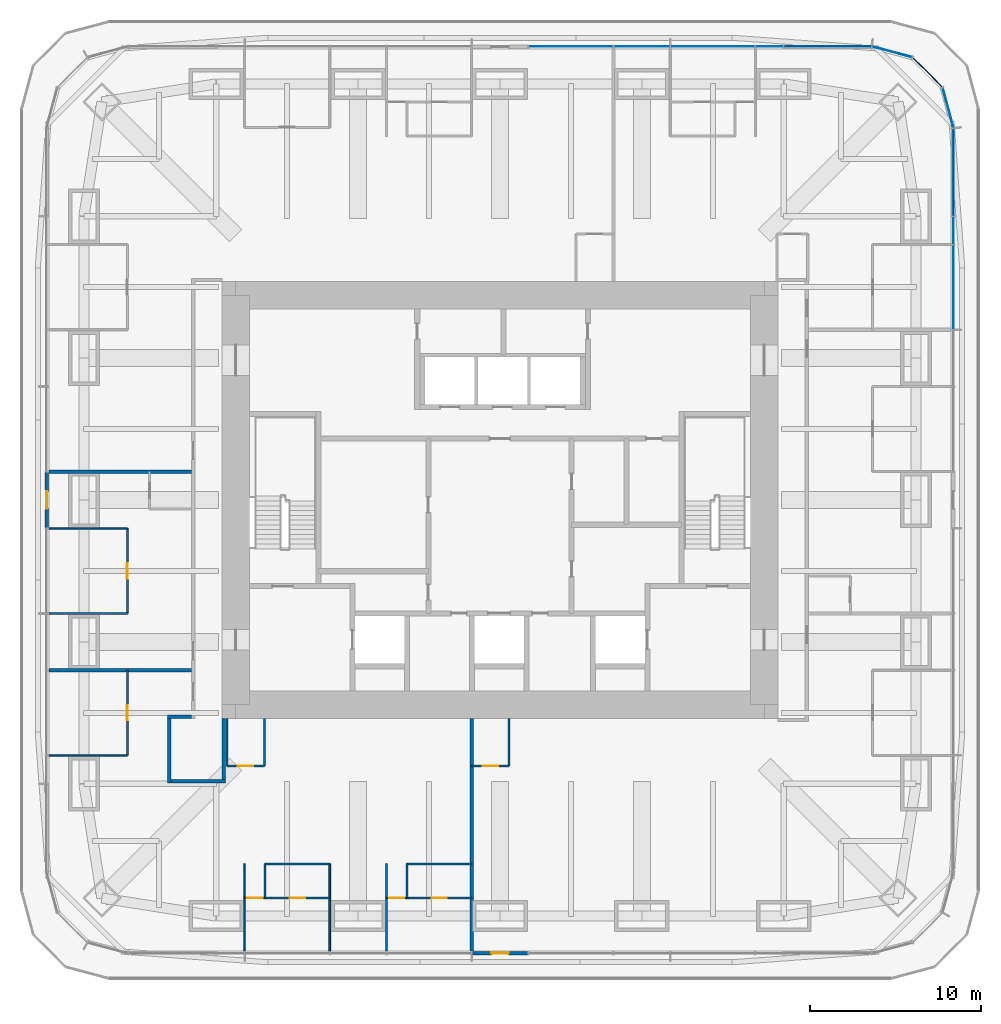
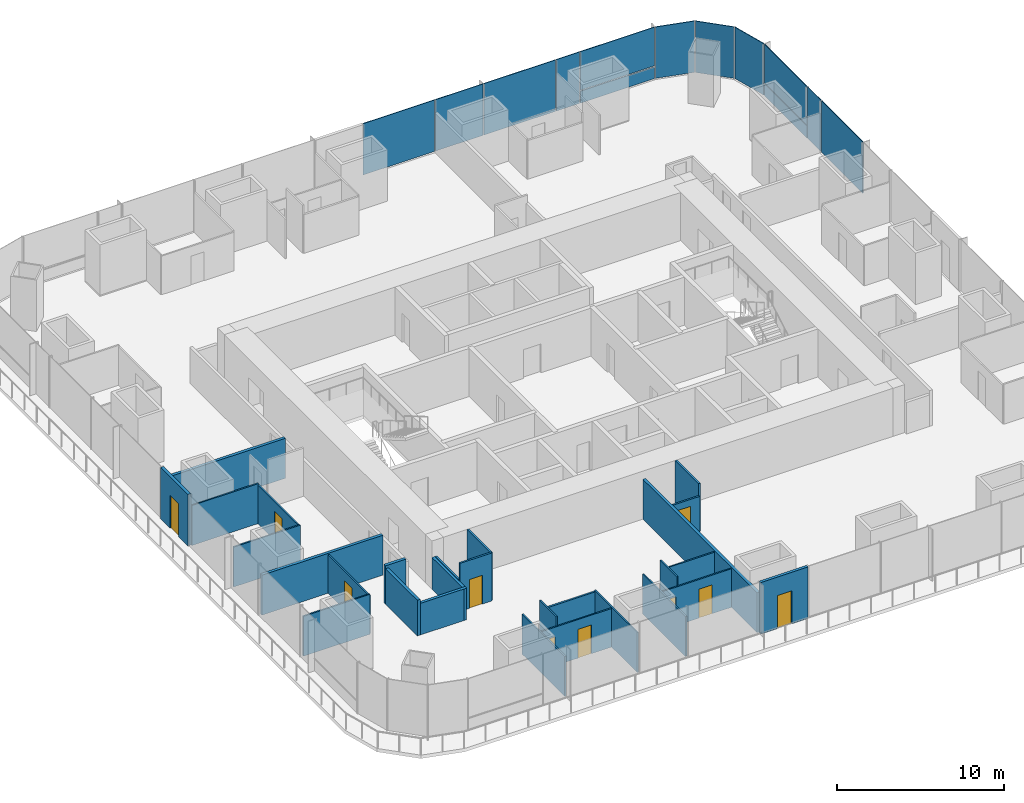
# One storey, part 8 of 15: 28 walls, 13 plates, 10 doors, 10 openings, 3 elements without a shape of their own.
"""IFC4 building model written with IfcOpenShell, lengths in metres."""

from ifc_helpers import new_model, si_unit, direction, frame, frame_2d, origin, origin_2d, place, context, subcontext, project, spatial, rectangle, extrude, material, layer, layer_set, type_object, element, fill, aggregate, save


model = new_model("IFC4")

# Units and contexts
model_context = context("Model", 3, precision=1e-05, world=origin(), true_north=direction((0.0, 1.0)))
body_context = subcontext(model_context, "Body", "Model", "MODEL_VIEW")
ifc_project = project(units=[si_unit("LENGTHUNIT", "METRE"), si_unit("AREAUNIT", "SQUARE_METRE"), si_unit("VOLUMEUNIT", "CUBIC_METRE"), si_unit("PLANEANGLEUNIT", "RADIAN"), si_unit("MASSUNIT", "GRAM", prefix="KILO")], contexts=[model_context])

# Site, building, storey
site_placement = place(None, origin())
site = spatial("IfcSite", under=ifc_project, at=site_placement, CompositionType="ELEMENT")
building_placement = place(site_placement, origin())
building = spatial("IfcBuilding", under=site, at=building_placement, Name="Khuree Lantern Residences", CompositionType="ELEMENT")
storey_placement = place(building_placement, frame((0.0, 0.0, 199.5)))
storey = spatial("IfcBuildingStorey", under=building, at=storey_placement, Name="L49", CompositionType="ELEMENT", Elevation=199.5)

# Curtain wall, plates
ifc_material_1 = material(Name="Bronze anodised aluminium", Category="aluminium")
curtain_wall_type_1 = type_object("IfcCurtainWallType", Name="CW-T2 TOWER CORNER CURTAIN WALL", PredefinedType="USERDEFINED", material=ifc_material_1)
curtain_wall_1_placement = place(storey_placement, origin())
curtain_wall_1 = element("IfcCurtainWall", 1, at=curtain_wall_1_placement, inside=storey, type_object=curtain_wall_type_1, Name="L49 NORTH-EAST CORNER CURTAIN WALL", ObjectType="Faceted corner curtain wall", PredefinedType="USERDEFINED")
ifc_material_2 = material(Name="Bronze tinted triple glazing", Category="glass")
ifc_layer_1 = layer(ifc_material_2, 0.048095703125)
ifc_layer_set_1 = layer_set([ifc_layer_1], Name="FACET PANEL P4")
plate_type_1 = type_object("IfcPlateType", Name="FACET PANEL P4", PredefinedType="CURTAIN_PANEL", material=ifc_layer_set_1)
plate_1_placement = place(storey_placement, frame((26.279052734375, 22.998046875, 0.0), z_axis=(0.0, 0.0, 1.0), x_axis=(-0.258819021888, 0.965925832509, 0.0)))
plate_1 = element("IfcPlate", 2, at=plate_1_placement, type_object=plate_type_1, Name="L49 NORTH-EAST CORNER PANEL 15.1", PredefinedType="CURTAIN_PANEL", context=body_context, shape_type="SweptSolid", body=[
    extrude(rectangle(XDim=2.40869140625, YDim=0.048095703125, at=origin_2d()), origin(), (0.0, 0.0, 1.0), 3.75),
])
plate_2_placement = place(storey_placement, frame((25.078369140625, 25.078369140625, 0.0), z_axis=(0.0, 0.0, 1.0), x_axis=(-0.707106781187, 0.707106781187, 0.0)))
plate_2 = element("IfcPlate", 3, at=plate_2_placement, type_object=plate_type_1, Name="L49 NORTH-EAST CORNER PANEL 16.1", PredefinedType="CURTAIN_PANEL", context=body_context, shape_type="SweptSolid", body=[
    extrude(rectangle(XDim=2.404541015625, YDim=0.048095703125, at=origin_2d()), origin(), (0.0, 0.0, 1.0), 3.75),
])
plate_3_placement = place(storey_placement, frame((22.998046875, 26.279052734375, 0.0), z_axis=(0.0, 0.0, 1.0), x_axis=(-0.965925832509, 0.258819021888, 0.0)))
plate_3 = element("IfcPlate", 4, at=plate_3_placement, type_object=plate_type_1, Name="L49 NORTH-EAST CORNER PANEL 17.1", PredefinedType="CURTAIN_PANEL", context=body_context, shape_type="SweptSolid", body=[
    extrude(rectangle(XDim=2.40869140625, YDim=0.048095703125, at=origin_2d()), origin(), (0.0, 0.0, 1.0), 3.75),
])
aggregate(curtain_wall_1, [plate_1, plate_2, plate_3])

# Curtain wall, plate
curtain_wall_type_2 = type_object("IfcCurtainWallType", Name="CW-T1 TOWER FACE CURTAIN WALL", PredefinedType="USERDEFINED", material=ifc_material_1)
curtain_wall_2_placement = place(storey_placement, origin())
curtain_wall_2 = element("IfcCurtainWall", 5, at=curtain_wall_2_placement, inside=storey, type_object=curtain_wall_type_2, Name="L49 EAST FACE CURTAIN WALL", ObjectType="Stick-built curtain wall", PredefinedType="USERDEFINED")
ifc_material_3 = material(Name="Bronze tinted triple glazing with a ceramic-fritted spandrel band", Category="glass")
ifc_layer_2 = layer(ifc_material_3, 0.048095703125)
ifc_layer_set_2 = layer_set([ifc_layer_2], Name="FIXED LIGHT PANEL P11")
plate_type_2 = type_object("IfcPlateType", Name="FIXED LIGHT PANEL P11", PredefinedType="CURTAIN_PANEL", material=ifc_layer_set_2)
plate_4_placement = place(storey_placement, frame((26.60009765625, 12.47998046875, 0.0), z_axis=(0.0, 0.0, 1.0), x_axis=(0.0, 1.0, 0.0)))
plate_4 = element("IfcPlate", 6, at=plate_4_placement, type_object=plate_type_2, Name="L49 EAST FACE PANEL 12.1", PredefinedType="CURTAIN_PANEL", context=body_context, shape_type="SweptSolid", body=[
    extrude(rectangle(XDim=4.927001953125, YDim=0.048095703125, at=origin_2d()), origin(), (0.0, 0.0, 1.0), 3.75),
])

# Curtain wall, plates
curtain_wall_3_placement = place(storey_placement, origin())
curtain_wall_3 = element("IfcCurtainWall", 7, at=curtain_wall_3_placement, inside=storey, type_object=curtain_wall_type_2, Name="L49 NORTH FACE CURTAIN WALL", ObjectType="Stick-built curtain wall", PredefinedType="USERDEFINED")
plate_5_placement = place(storey_placement, frame((12.47998046875, 26.60009765625, 0.0), z_axis=(0.0, 0.0, 1.0), x_axis=(-1.0, 0.0, 0.0)))
plate_5 = element("IfcPlate", 8, at=plate_5_placement, type_object=plate_type_2, Name="L49 NORTH FACE PANEL 20.1", PredefinedType="CURTAIN_PANEL", context=body_context, shape_type="SweptSolid", body=[
    extrude(rectangle(XDim=4.927001953125, YDim=0.048095703125, at=origin_2d()), origin(), (0.0, 0.0, 1.0), 3.75),
])
plate_6_placement = place(storey_placement, frame((4.159912109375, 26.60009765625, 0.0), z_axis=(0.0, 0.0, 1.0), x_axis=(-1.0, 0.0, 0.0)))
plate_6 = element("IfcPlate", 9, at=plate_6_placement, type_object=plate_type_2, Name="L49 NORTH FACE PANEL 22.1", PredefinedType="CURTAIN_PANEL", context=body_context, shape_type="SweptSolid", body=[
    extrude(rectangle(XDim=4.927001953125, YDim=0.048095703125, at=origin_2d()), origin(), (0.0, 0.0, 1.0), 3.75),
])
ifc_material_4 = material(Name="Bronze tinted triple glazing, two aluminium-framed sashes in one frame", Category="aluminium")
ifc_layer_3 = layer(ifc_material_4, 0.048095703125)
ifc_layer_set_3 = layer_set([ifc_layer_3], Name="SASH PAIR PANEL P12")
plate_type_3 = type_object("IfcPlateType", Name="SASH PAIR PANEL P12", PredefinedType="CURTAIN_PANEL", material=ifc_layer_set_3)
plate_7_placement = place(storey_placement, frame((8.320068359375, 26.60009765625, 0.0), z_axis=(0.0, 0.0, 1.0), x_axis=(-1.0, 0.0, 0.0)))
plate_7 = element("IfcPlate", 10, at=plate_7_placement, type_object=plate_type_3, Name="L49 NORTH FACE PANEL 21.1", PredefinedType="CURTAIN_PANEL", context=body_context, shape_type="SweptSolid", body=[
    extrude(rectangle(XDim=3.262939453125, YDim=0.048095703125, at=origin_2d()), origin(), (0.0, 0.0, 1.0), 3.75),
])

# Plate
ifc_material_5 = material(Name="Bronze tinted triple glazing, aluminium-framed sash", Category="aluminium")
ifc_layer_4 = layer(ifc_material_5, 0.048095703125)
ifc_layer_set_4 = layer_set([ifc_layer_4], Name="SASH PANEL P3")
plate_type_4 = type_object("IfcPlateType", Name="SASH PANEL P3", PredefinedType="CURTAIN_PANEL", material=ifc_layer_set_4)
plate_8_placement = place(storey_placement, frame((26.60009765625, 15.80810546875, 0.0), z_axis=(0.0, 0.0, 1.0), x_axis=(0.0, 1.0, 0.0)))
plate_8 = element("IfcPlate", 11, at=plate_8_placement, type_object=plate_type_4, Name="L49 EAST FACE PANEL 13.1", PredefinedType="CURTAIN_PANEL", context=body_context, shape_type="SweptSolid", body=[
    extrude(rectangle(XDim=1.59912109375, YDim=0.048095703125, at=origin_2d()), origin(), (0.0, 0.0, 1.0), 3.75),
])

plate_9_placement = place(storey_placement, frame((15.80810546875, 26.60009765625, 0.0), z_axis=(0.0, 0.0, 1.0), x_axis=(-1.0, 0.0, 0.0)))
plate_9 = element("IfcPlate", 12, at=plate_9_placement, type_object=plate_type_4, Name="L49 NORTH FACE PANEL 19.1", PredefinedType="CURTAIN_PANEL", context=body_context, shape_type="SweptSolid", body=[
    extrude(rectangle(XDim=1.59912109375, YDim=0.048095703125, at=origin_2d()), origin(), (0.0, 0.0, 1.0), 3.75),
])

ifc_material_6 = material(Name="Bronze anodised aluminium insulated spandrel", Category="aluminium")
ifc_layer_5 = layer(ifc_material_6, 0.06005859375)
ifc_layer_set_5 = layer_set([ifc_layer_5], Name="SPANDREL PANEL P2")
plate_type_5 = type_object("IfcPlateType", Name="SPANDREL PANEL P2", PredefinedType="CURTAIN_PANEL", material=ifc_layer_set_5)
plate_10_placement = place(storey_placement, frame((26.60009765625, 19.2177734375, 0.0), z_axis=(0.0, 0.0, 1.0), x_axis=(0.0, 1.0, 0.0)))
plate_10 = element("IfcPlate", 13, at=plate_10_placement, type_object=plate_type_5, Name="L49 EAST FACE PANEL 14.1", PredefinedType="CURTAIN_PANEL", context=body_context, shape_type="SweptSolid", body=[
    extrude(rectangle(XDim=5.0908203125, YDim=0.06005859375, at=origin_2d()), origin(), (0.0, 0.0, 1.0), 0.867431640625),
])

plate_11_placement = place(storey_placement, frame((19.2177734375, 26.60009765625, 0.0), z_axis=(0.0, 0.0, 1.0), x_axis=(-1.0, 0.0, 0.0)))
plate_11 = element("IfcPlate", 14, at=plate_11_placement, type_object=plate_type_5, Name="L49 NORTH FACE PANEL 18.1", PredefinedType="CURTAIN_PANEL", context=body_context, shape_type="SweptSolid", body=[
    extrude(rectangle(XDim=5.0908203125, YDim=0.06005859375, at=origin_2d()), origin(), (0.0, 0.0, 1.0), 0.867431640625),
])

ifc_layer_6 = layer(ifc_material_2, 0.048095703125)
ifc_layer_set_6 = layer_set([ifc_layer_6], Name="VISION PANEL P1")
plate_type_6 = type_object("IfcPlateType", Name="VISION PANEL P1", PredefinedType="CURTAIN_PANEL", material=ifc_layer_set_6)
plate_12_placement = place(storey_placement, frame((26.60009765625, 19.21826171875, 0.9326171875), z_axis=(0.0, 0.0, 1.0), x_axis=(0.0, 1.0, 0.0)))
plate_12 = element("IfcPlate", 15, at=plate_12_placement, type_object=plate_type_6, Name="L49 EAST FACE PANEL 14.2", PredefinedType="CURTAIN_PANEL", context=body_context, shape_type="SweptSolid", body=[
    extrude(rectangle(XDim=5.091552734375, YDim=0.048095703125, at=origin_2d()), origin(), (0.0, 0.0, 1.0), 2.8173828125),
])

aggregate(curtain_wall_2, [plate_4, plate_8, plate_10, plate_12])

plate_13_placement = place(storey_placement, frame((19.21826171875, 26.60009765625, 0.9326171875), z_axis=(0.0, 0.0, 1.0), x_axis=(-1.0, 0.0, 0.0)))
plate_13 = element("IfcPlate", 16, at=plate_13_placement, type_object=plate_type_6, Name="L49 NORTH FACE PANEL 18.2", PredefinedType="CURTAIN_PANEL", context=body_context, shape_type="SweptSolid", body=[
    extrude(rectangle(XDim=5.091552734375, YDim=0.048095703125, at=origin_2d()), origin(), (0.0, 0.0, 1.0), 2.8173828125),
])

aggregate(curtain_wall_3, [plate_11, plate_13, plate_9, plate_5, plate_7, plate_6])

# Wall
ifc_material_7 = material(Name="Moisture-resistant gypsum board on steel studs", Category="steel")
ifc_layer_7 = layer(ifc_material_7, 0.125)
ifc_layer_set_7 = layer_set([ifc_layer_7], Name="BATHROOM WALL BTW125")
wall_type_1 = type_object("IfcWallType", Name="BATHROOM WALL BTW125", PredefinedType="PARTITIONING", material=ifc_layer_set_7)
wall_1_placement = place(storey_placement, frame((-13.77587890625, -21.344970703125, 0.0), z_axis=(0.0, 0.0, 1.0), x_axis=(1.0, 0.0, 0.0)))
element("IfcWall", 17, at=wall_1_placement, inside=storey, type_object=wall_type_1, Name="L49 BATHROOM WALL 05", PredefinedType="PARTITIONING", context=body_context, shape_type="SweptSolid", body=[
    extrude(rectangle(XDim=3.7919921875, YDim=0.125, at=frame_2d((1.89599609375, 0.0))), origin(), (0.0, 0.0, 1.0), 2.81005859375),
])

# Wall, opening, door
wall_2_placement = place(storey_placement, frame((-16.0166015625, -15.60009765625, 0.0), z_axis=(0.0, 0.0, 1.0), x_axis=(1.0, 0.0, 0.0)))
wall_2 = element("IfcWall", 18, at=wall_2_placement, inside=storey, type_object=wall_type_1, Name="L49 BATHROOM WALL 05", PredefinedType="PARTITIONING", context=body_context, shape_type="SweptSolid", body=[
    extrude(rectangle(XDim=2.2001953125, YDim=0.125, at=frame_2d((1.10009765625, 0.0))), origin(), (0.0, 0.0, 1.0), 3.5),
])
opening_1_placement = place(wall_2_placement, frame((0.64990234375, 0.0, 0.0)))
opening_1 = element("IfcOpeningElement", 19, at=opening_1_placement, cuts=wall_2, Name="Opening 49-045", PredefinedType="OPENING", context=body_context, shape_type="SweptSolid", body=[
    extrude(rectangle(XDim=0.89990234375, YDim=2.10009765625, at=frame_2d((0.449951171875, 1.050048828125))), frame((0.0, 0.072509765625, 0.0), z_axis=(0.0, -1.0, 0.0), x_axis=(1.0, 0.0, 0.0)), (0.0, 0.0, 1.0), 0.14501953125),
])
ifc_material_8 = material(Name="Timber door leaf in hardwood frame", Category="wood")
door_type_1 = type_object("IfcDoorType", Name="BATHROOM DOOR 900X2100", OperationType="SINGLE_SWING_LEFT", PredefinedType="DOOR", material=ifc_material_8)
door_1_placement = place(opening_1_placement, origin())
door_1 = element("IfcDoor", 20, at=door_1_placement, inside=storey, type_object=door_type_1, Name="Bathroom door 49-045", OperationType="SINGLE_SWING_LEFT", OverallHeight=2.10009765625, OverallWidth=0.89990234375, PredefinedType="DOOR", context=body_context, shape_type="SweptSolid", body=[
    extrude(rectangle(XDim=0.89990234375, YDim=2.10009765625, at=frame_2d((0.449951171875, 1.050048828125))), frame((0.0, 0.02490234375, 0.0), z_axis=(0.0, -1.0, 0.0), x_axis=(1.0, 0.0, 0.0)), (0.0, 0.0, 1.0), 0.050048828125),
])
fill(opening_1, door_1)

# Walls
wall_3_placement = place(storey_placement, frame((-16.0166015625, -12.800048828125, 0.0), z_axis=(0.0, 0.0, 1.0), x_axis=(0.0, -1.0, 0.0)))
element("IfcWall", 21, at=wall_3_placement, inside=storey, type_object=wall_type_1, Name="L49 BATHROOM WALL 05", PredefinedType="PARTITIONING", context=body_context, shape_type="SweptSolid", body=[
    extrude(rectangle(XDim=2.800048828125, YDim=0.125, at=frame_2d((1.39990234375, 0.0))), origin(), (0.0, 0.0, 1.0), 2.300048828125),
])
wall_4_placement = place(storey_placement, frame((-13.81640625, -12.800048828125, 0.0), z_axis=(0.0, 0.0, 1.0), x_axis=(0.0, -1.0, 0.0)))
element("IfcWall", 22, at=wall_4_placement, inside=storey, type_object=wall_type_1, Name="L49 BATHROOM WALL 05", PredefinedType="PARTITIONING", context=body_context, shape_type="SweptSolid", body=[
    extrude(rectangle(XDim=2.800048828125, YDim=0.125, at=frame_2d((1.39990234375, 0.0))), origin(), (0.0, 0.0, 1.0), 3.5),
])

# Wall, opening, door
wall_5_placement = place(storey_placement, frame((-1.6640625, -15.60009765625, 0.0), z_axis=(0.0, 0.0, 1.0), x_axis=(1.0, 0.0, 0.0)))
wall_5 = element("IfcWall", 23, at=wall_5_placement, inside=storey, type_object=wall_type_1, Name="L49 BATHROOM WALL 06", PredefinedType="PARTITIONING", context=body_context, shape_type="SweptSolid", body=[
    extrude(rectangle(XDim=2.199951171875, YDim=0.125, at=frame_2d((1.10009765625, 0.0))), origin(), (0.0, 0.0, 1.0), 2.60009765625),
])
opening_2_placement = place(wall_5_placement, frame((0.64990234375, 0.0, 0.0)))
opening_2 = element("IfcOpeningElement", 24, at=opening_2_placement, cuts=wall_5, Name="Opening 49-048", PredefinedType="OPENING", context=body_context, shape_type="SweptSolid", body=[
    extrude(rectangle(XDim=0.89990234375, YDim=2.10009765625, at=frame_2d((0.449951171875, 1.050048828125))), frame((0.0, 0.072509765625, 0.0), z_axis=(0.0, -1.0, 0.0), x_axis=(1.0, 0.0, 0.0)), (0.0, 0.0, 1.0), 0.14501953125),
])
door_2_placement = place(opening_2_placement, origin())
door_2 = element("IfcDoor", 25, at=door_2_placement, inside=storey, type_object=door_type_1, Name="Bathroom door 49-048", OperationType="SINGLE_SWING_LEFT", OverallHeight=2.10009765625, OverallWidth=0.89990234375, PredefinedType="DOOR", context=body_context, shape_type="SweptSolid", body=[
    extrude(rectangle(XDim=0.89990234375, YDim=2.10009765625, at=frame_2d((0.449951171875, 1.050048828125))), frame((0.0, 0.02490234375, 0.0), z_axis=(0.0, -1.0, 0.0), x_axis=(1.0, 0.0, 0.0)), (0.0, 0.0, 1.0), 0.050048828125),
])
fill(opening_2, door_2)

# Walls
wall_6_placement = place(storey_placement, frame((0.535888671875, -12.800048828125, 0.0), z_axis=(0.0, 0.0, 1.0), x_axis=(0.0, -1.0, 0.0)))
element("IfcWall", 26, at=wall_6_placement, inside=storey, type_object=wall_type_1, Name="L49 BATHROOM WALL 06", PredefinedType="PARTITIONING", context=body_context, shape_type="SweptSolid", body=[
    extrude(rectangle(XDim=2.800048828125, YDim=0.125, at=frame_2d((1.39990234375, 0.0))), origin(), (0.0, 0.0, 1.0), 3.5),
])
ifc_material_9 = material(Name="Gypsum board on steel studs", Category="steel")
ifc_layer_8 = layer(ifc_material_9, 0.199951171875)
ifc_layer_set_8 = layer_set([ifc_layer_8], Name="CORRIDOR WALL CRW200 EI 60")
wall_type_2 = type_object("IfcWallType", Name="CORRIDOR WALL CRW200 EI 60", PredefinedType="PARTITIONING", material=ifc_layer_set_8)
wall_7_placement = place(storey_placement, frame((-18.10009765625, -12.699951171875, 0.0), z_axis=(0.0, 0.0, 1.0), x_axis=(-1.0, 0.0, 0.0)))
element("IfcWall", 27, at=wall_7_placement, inside=storey, type_object=wall_type_2, Name="L49 RESIDENTS LOUNGE WALL", PredefinedType="PARTITIONING", context=body_context, shape_type="SweptSolid", body=[
    extrude(rectangle(XDim=1.39990234375, YDim=0.199951171875, at=frame_2d((0.699951171875, 0.0))), origin(), (0.0, 0.0, 1.0), 2.81005859375),
])
wall_8_placement = place(storey_placement, frame((-19.39990234375, -12.60009765625, 0.0), z_axis=(0.0, 0.0, 1.0), x_axis=(0.0, -1.0, 0.0)))
element("IfcWall", 28, at=wall_8_placement, inside=storey, type_object=wall_type_2, Name="L49 RESIDENTS LOUNGE WALL", PredefinedType="PARTITIONING", context=body_context, shape_type="SweptSolid", body=[
    extrude(rectangle(XDim=4.0, YDim=0.199951171875, at=frame_2d((2.0, 0.0))), origin(), (0.0, 0.0, 1.0), 2.60009765625),
])
wall_9_placement = place(storey_placement, frame((-19.300048828125, -16.5, 0.0), z_axis=(0.0, 0.0, 1.0), x_axis=(1.0, 0.0, 0.0)))
element("IfcWall", 29, at=wall_9_placement, inside=storey, type_object=wall_type_2, Name="L49 RESIDENTS LOUNGE WALL", PredefinedType="PARTITIONING", context=body_context, shape_type="SweptSolid", body=[
    extrude(rectangle(XDim=3.199951171875, YDim=0.199951171875, at=frame_2d((1.60009765625, 0.0))), origin(), (0.0, 0.0, 1.0), 2.300048828125),
])
wall_10_placement = place(storey_placement, frame((-16.199951171875, -16.60009765625, 0.0), z_axis=(0.0, 0.0, 1.0), x_axis=(0.0, 1.0, 0.0)))
element("IfcWall", 30, at=wall_10_placement, inside=storey, type_object=wall_type_2, Name="L49 RESIDENTS LOUNGE WALL", PredefinedType="PARTITIONING", context=body_context, shape_type="SweptSolid", body=[
    extrude(rectangle(XDim=3.800048828125, YDim=0.199951171875, at=frame_2d((1.89990234375, 0.0))), origin(), (0.0, 0.0, 1.0), 2.300048828125),
])
ifc_layer_9 = layer(ifc_material_9, 0.199951171875)
ifc_layer_set_9 = layer_set([ifc_layer_9], Name="DEMISING WALL DMW200 EI 90")
wall_type_3 = type_object("IfcWallType", Name="DEMISING WALL DMW200 EI 90", PredefinedType="PARTITIONING", material=ifc_layer_set_9)
for number, where, z_axis, x_axis, name in (
    (31, (-18.10009765625, 1.6640625, 0.0), (0.0, 0.0, 1.0), (-1.0, 0.0, 0.0), "L49 DEMISING WALL 04"),
    (32, (-18.10009765625, -9.98388671875, 0.0), (0.0, 0.0, 1.0), (-1.0, 0.0, 0.0), "L49 DEMISING WALL 05"),
):
    element("IfcWall", number, at=place(storey_placement, frame(where, z_axis=z_axis, x_axis=x_axis)), inside=storey, type_object=wall_type_3, Name=name, PredefinedType="PARTITIONING", context=body_context, shape_type="SweptSolid", body=[
        extrude(rectangle(XDim=8.349853515625, YDim=0.199951171875, at=frame_2d((4.1748046875, 0.0))), origin(), (0.0, 0.0, 1.0), 2.909912109375),
    ])
wall_11_placement = place(storey_placement, frame((-1.6640625, -12.800048828125, 0.0), z_axis=(0.0, 0.0, 1.0), x_axis=(0.0, -1.0, 0.0)))
element("IfcWall", 33, at=wall_11_placement, inside=storey, type_object=wall_type_3, Name="L49 DEMISING WALL 06", PredefinedType="PARTITIONING", context=body_context, shape_type="SweptSolid", body=[
    extrude(rectangle(XDim=13.64990234375, YDim=0.199951171875, at=frame_2d((6.824951171875, 0.0))), origin(), (0.0, 0.0, 1.0), 2.909912109375),
])
ifc_layer_10 = layer(ifc_material_9, 0.10009765625)
ifc_layer_set_10 = layer_set([ifc_layer_10], Name="PARTITION PT100")
wall_type_4 = type_object("IfcWallType", Name="PARTITION PT100", PredefinedType="PARTITIONING", material=ifc_layer_set_10)
for number, where, z_axis, x_axis, name in (
    (34, (-21.85009765625, -1.6640625, 0.0), (0.0, 0.0, 1.0), (-1.0, 0.0, 0.0), "L49 PARTITION 04"),
    (35, (-21.85009765625, -6.656005859375, 0.0), (0.0, 0.0, 1.0), (-1.0, 0.0, 0.0), "L49 PARTITION 04"),
    (36, (-21.85009765625, -14.97607421875, 0.0), (0.0, 0.0, 1.0), (-1.0, 0.0, 0.0), "L49 PARTITION 05"),
):
    element("IfcWall", number, at=place(storey_placement, frame(where, z_axis=z_axis, x_axis=x_axis)), inside=storey, type_object=wall_type_4, Name=name, PredefinedType="PARTITIONING", context=body_context, shape_type="SweptSolid", body=[
        extrude(rectangle(XDim=4.599853515625, YDim=0.10009765625, at=frame_2d((2.2998046875, 0.0))), origin(), (0.0, 0.0, 1.0), 2.909912109375),
    ])
for number, where, z_axis, x_axis, name in (
    (37, (-14.97607421875, -21.344970703125, 0.0), (0.0, 0.0, 1.0), (0.0, -1.0, 0.0), "L49 PARTITION 05"),
    (38, (-9.98388671875, -21.344970703125, 0.0), (0.0, 0.0, 1.0), (0.0, -1.0, 0.0), "L49 PARTITION 05"),
    (39, (-6.656005859375, -21.344970703125, 0.0), (0.0, 0.0, 1.0), (0.0, -1.0, 0.0), "L49 PARTITION 05"),
):
    element("IfcWall", number, at=place(storey_placement, frame(where, z_axis=z_axis, x_axis=x_axis)), inside=storey, type_object=wall_type_4, Name=name, PredefinedType="PARTITIONING", context=body_context, shape_type="SweptSolid", body=[
        extrude(rectangle(XDim=5.10498046875, YDim=0.10009765625, at=frame_2d((2.552490234375, 0.0))), origin(), (0.0, 0.0, 1.0), 2.909912109375),
    ])

# Wall, opening, door
wall_12_placement = place(storey_placement, frame((-21.85009765625, -1.6640625, 0.0), z_axis=(0.0, 0.0, 1.0), x_axis=(0.0, -1.0, 0.0)))
wall_12 = element("IfcWall", 40, at=wall_12_placement, inside=storey, type_object=wall_type_4, Name="L49 PARTITION 04", PredefinedType="PARTITIONING", context=body_context, shape_type="SweptSolid", body=[
    extrude(rectangle(XDim=4.991943359375, YDim=0.10009765625, at=frame_2d((2.49609375, 0.0))), origin(), (0.0, 0.0, 1.0), 2.81005859375),
])
opening_3_placement = place(wall_12_placement, frame((2.0458984375, 0.0, 0.0)))
opening_3 = element("IfcOpeningElement", 41, at=opening_3_placement, cuts=wall_12, Name="Opening 49-037", PredefinedType="OPENING", context=body_context, shape_type="SweptSolid", body=[
    extrude(rectangle(XDim=0.89990234375, YDim=2.10009765625, at=frame_2d((0.449951171875, 1.050048828125))), frame((0.0, 0.06005859375, 0.0), z_axis=(0.0, -1.0, 0.0), x_axis=(1.0, 0.0, 0.0)), (0.0, 0.0, 1.0), 0.1201171875),
])
door_type_2 = type_object("IfcDoorType", Name="BEDROOM DOOR 900X2100", OperationType="SINGLE_SWING_LEFT", PredefinedType="DOOR", material=ifc_material_8)
door_3_placement = place(opening_3_placement, origin())
door_3 = element("IfcDoor", 42, at=door_3_placement, inside=storey, type_object=door_type_2, Name="Bedroom door 49-037", OperationType="SINGLE_SWING_LEFT", OverallHeight=2.10009765625, OverallWidth=0.89990234375, PredefinedType="DOOR", context=body_context, shape_type="SweptSolid", body=[
    extrude(rectangle(XDim=0.89990234375, YDim=2.10009765625, at=frame_2d((0.449951171875, 1.050048828125))), frame((0.0, 0.02490234375, 0.0), z_axis=(0.0, -1.0, 0.0), x_axis=(1.0, 0.0, 0.0)), (0.0, 0.0, 1.0), 0.050048828125),
])
fill(opening_3, door_3)

wall_13_placement = place(storey_placement, frame((-21.85009765625, -9.98388671875, 0.0), z_axis=(0.0, 0.0, 1.0), x_axis=(0.0, -1.0, 0.0)))
wall_13 = element("IfcWall", 43, at=wall_13_placement, inside=storey, type_object=wall_type_4, Name="L49 PARTITION 05", PredefinedType="PARTITIONING", context=body_context, shape_type="SweptSolid", body=[
    extrude(rectangle(XDim=4.9921875, YDim=0.10009765625, at=frame_2d((2.49609375, 0.0))), origin(), (0.0, 0.0, 1.0), 2.81005859375),
])
opening_4_placement = place(wall_13_placement, frame((2.0458984375, 0.0, 0.0)))
opening_4 = element("IfcOpeningElement", 44, at=opening_4_placement, cuts=wall_13, Name="Opening 49-040", PredefinedType="OPENING", context=body_context, shape_type="SweptSolid", body=[
    extrude(rectangle(XDim=0.89990234375, YDim=2.10009765625, at=frame_2d((0.449951171875, 1.050048828125))), frame((0.0, 0.06005859375, 0.0), z_axis=(0.0, -1.0, 0.0), x_axis=(1.0, 0.0, 0.0)), (0.0, 0.0, 1.0), 0.1201171875),
])
door_4_placement = place(opening_4_placement, origin())
door_4 = element("IfcDoor", 45, at=door_4_placement, inside=storey, type_object=door_type_2, Name="Bedroom door 49-040", OperationType="SINGLE_SWING_LEFT", OverallHeight=2.10009765625, OverallWidth=0.89990234375, PredefinedType="DOOR", context=body_context, shape_type="SweptSolid", body=[
    extrude(rectangle(XDim=0.89990234375, YDim=2.10009765625, at=frame_2d((0.449951171875, 1.050048828125))), frame((0.0, 0.02490234375, 0.0), z_axis=(0.0, -1.0, 0.0), x_axis=(1.0, 0.0, 0.0)), (0.0, 0.0, 1.0), 0.050048828125),
])
fill(opening_4, door_4)

# Wall, openings, doors
wall_14_placement = place(storey_placement, frame((-14.97607421875, -23.344970703125, 0.0), z_axis=(0.0, 0.0, 1.0), x_axis=(1.0, 0.0, 0.0)))
wall_14 = element("IfcWall", 46, at=wall_14_placement, inside=storey, type_object=wall_type_4, Name="L49 PARTITION 05", PredefinedType="PARTITIONING", context=body_context, shape_type="SweptSolid", body=[
    extrude(rectangle(XDim=4.9921875, YDim=0.10009765625, at=frame_2d((2.49609375, 0.0))), origin(), (0.0, 0.0, 1.0), 2.81005859375),
])
opening_5_placement = place(wall_14_placement, frame((0.14990234375, 0.0, 0.0)))
opening_5 = element("IfcOpeningElement", 47, at=opening_5_placement, cuts=wall_14, Name="Opening 49-041", PredefinedType="OPENING", context=body_context, shape_type="SweptSolid", body=[
    extrude(rectangle(XDim=0.89990234375, YDim=2.10009765625, at=frame_2d((0.449951171875, 1.050048828125))), frame((0.0, 0.06005859375, 0.0), z_axis=(0.0, -1.0, 0.0), x_axis=(1.0, 0.0, 0.0)), (0.0, 0.0, 1.0), 0.1201171875),
])
opening_6_placement = place(wall_14_placement, frame((2.64599609375, 0.0, 0.0)))
opening_6 = element("IfcOpeningElement", 48, at=opening_6_placement, cuts=wall_14, Name="Opening 49-042", PredefinedType="OPENING", context=body_context, shape_type="SweptSolid", body=[
    extrude(rectangle(XDim=0.89990234375, YDim=2.10009765625, at=frame_2d((0.449951171875, 1.050048828125))), frame((0.0, 0.06005859375, 0.0), z_axis=(0.0, -1.0, 0.0), x_axis=(1.0, 0.0, 0.0)), (0.0, 0.0, 1.0), 0.1201171875),
])
door_5_placement = place(opening_6_placement, origin())
door_5 = element("IfcDoor", 49, at=door_5_placement, inside=storey, type_object=door_type_1, Name="Bathroom door 49-042", OperationType="SINGLE_SWING_LEFT", OverallHeight=2.10009765625, OverallWidth=0.89990234375, PredefinedType="DOOR", context=body_context, shape_type="SweptSolid", body=[
    extrude(rectangle(XDim=0.89990234375, YDim=2.10009765625, at=frame_2d((0.449951171875, 1.050048828125))), frame((0.0, 0.02490234375, 0.0), z_axis=(0.0, -1.0, 0.0), x_axis=(1.0, 0.0, 0.0)), (0.0, 0.0, 1.0), 0.050048828125),
])
fill(opening_6, door_5)
door_6_placement = place(opening_5_placement, origin())
door_6 = element("IfcDoor", 50, at=door_6_placement, inside=storey, type_object=door_type_2, Name="Bedroom door 49-041", OperationType="SINGLE_SWING_LEFT", OverallHeight=2.10009765625, OverallWidth=0.89990234375, PredefinedType="DOOR", context=body_context, shape_type="SweptSolid", body=[
    extrude(rectangle(XDim=0.89990234375, YDim=2.10009765625, at=frame_2d((0.449951171875, 1.050048828125))), frame((0.0, 0.02490234375, 0.0), z_axis=(0.0, -1.0, 0.0), x_axis=(1.0, 0.0, 0.0)), (0.0, 0.0, 1.0), 0.050048828125),
])
fill(opening_5, door_6)

# Wall
wall_15_placement = place(storey_placement, frame((-13.77587890625, -21.344970703125, 0.0), z_axis=(0.0, 0.0, 1.0), x_axis=(0.0, -1.0, 0.0)))
element("IfcWall", 51, at=wall_15_placement, inside=storey, type_object=wall_type_4, Name="L49 PARTITION 05", PredefinedType="PARTITIONING", context=body_context, shape_type="SweptSolid", body=[
    extrude(rectangle(XDim=2.0, YDim=0.10009765625, at=frame_2d((1.0, 0.0))), origin(), (0.0, 0.0, 1.0), 3.5),
])

# Wall, openings, doors
wall_16_placement = place(storey_placement, frame((-6.656005859375, -23.344970703125, 0.0), z_axis=(0.0, 0.0, 1.0), x_axis=(1.0, 0.0, 0.0)))
wall_16 = element("IfcWall", 52, at=wall_16_placement, inside=storey, type_object=wall_type_4, Name="L49 PARTITION 05", PredefinedType="PARTITIONING", context=body_context, shape_type="SweptSolid", body=[
    extrude(rectangle(XDim=4.991943359375, YDim=0.10009765625, at=frame_2d((2.49609375, 0.0))), origin(), (0.0, 0.0, 1.0), 2.81005859375),
])
opening_7_placement = place(wall_16_placement, frame((0.14990234375, 0.0, 0.0)))
opening_7 = element("IfcOpeningElement", 53, at=opening_7_placement, cuts=wall_16, Name="Opening 49-043", PredefinedType="OPENING", context=body_context, shape_type="SweptSolid", body=[
    extrude(rectangle(XDim=0.89990234375, YDim=2.10009765625, at=frame_2d((0.449951171875, 1.050048828125))), frame((0.0, 0.06005859375, 0.0), z_axis=(0.0, -1.0, 0.0), x_axis=(1.0, 0.0, 0.0)), (0.0, 0.0, 1.0), 0.1201171875),
])
opening_8_placement = place(wall_16_placement, frame((2.64599609375, 0.0, 0.0)))
opening_8 = element("IfcOpeningElement", 54, at=opening_8_placement, cuts=wall_16, Name="Opening 49-044", PredefinedType="OPENING", context=body_context, shape_type="SweptSolid", body=[
    extrude(rectangle(XDim=0.89990234375, YDim=2.10009765625, at=frame_2d((0.449951171875, 1.050048828125))), frame((0.0, 0.06005859375, 0.0), z_axis=(0.0, -1.0, 0.0), x_axis=(1.0, 0.0, 0.0)), (0.0, 0.0, 1.0), 0.1201171875),
])
door_7_placement = place(opening_7_placement, origin())
door_7 = element("IfcDoor", 55, at=door_7_placement, inside=storey, type_object=door_type_2, Name="Bedroom door 49-043", OperationType="SINGLE_SWING_LEFT", OverallHeight=2.10009765625, OverallWidth=0.89990234375, PredefinedType="DOOR", context=body_context, shape_type="SweptSolid", body=[
    extrude(rectangle(XDim=0.89990234375, YDim=2.10009765625, at=frame_2d((0.449951171875, 1.050048828125))), frame((0.0, 0.02490234375, 0.0), z_axis=(0.0, -1.0, 0.0), x_axis=(1.0, 0.0, 0.0)), (0.0, 0.0, 1.0), 0.050048828125),
])
fill(opening_7, door_7)
door_type_3 = type_object("IfcDoorType", Name="DOOR 900X2100 RIGHT HAND", OperationType="SINGLE_SWING_RIGHT", PredefinedType="DOOR", material=ifc_material_8)
door_8_placement = place(opening_8_placement, origin())
door_8 = element("IfcDoor", 56, at=door_8_placement, inside=storey, type_object=door_type_3, Name="Wardrobe door 49-044", OperationType="SINGLE_SWING_RIGHT", OverallHeight=2.10009765625, OverallWidth=0.89990234375, PredefinedType="DOOR", context=body_context, shape_type="SweptSolid", body=[
    extrude(rectangle(XDim=0.89990234375, YDim=2.10009765625, at=frame_2d((0.449951171875, 1.050048828125))), frame((0.0, 0.02490234375, 0.0), z_axis=(0.0, -1.0, 0.0), x_axis=(1.0, 0.0, 0.0)), (0.0, 0.0, 1.0), 0.050048828125),
])
fill(opening_8, door_8)

# Walls
wall_17_placement = place(storey_placement, frame((-5.4560546875, -21.344970703125, 0.0), z_axis=(0.0, 0.0, 1.0), x_axis=(0.0, -1.0, 0.0)))
element("IfcWall", 57, at=wall_17_placement, inside=storey, type_object=wall_type_4, Name="L49 PARTITION 05", PredefinedType="PARTITIONING", context=body_context, shape_type="SweptSolid", body=[
    extrude(rectangle(XDim=2.0, YDim=0.10009765625, at=frame_2d((1.0, 0.0))), origin(), (0.0, 0.0, 1.0), 3.5),
])
wall_18_placement = place(storey_placement, frame((-5.4560546875, -21.344970703125, 0.0), z_axis=(0.0, 0.0, 1.0), x_axis=(1.0, 0.0, 0.0)))
element("IfcWall", 58, at=wall_18_placement, inside=storey, type_object=wall_type_4, Name="L49 PARTITION 05", PredefinedType="PARTITIONING", context=body_context, shape_type="SweptSolid", body=[
    extrude(rectangle(XDim=3.7919921875, YDim=0.10009765625, at=frame_2d((1.89599609375, 0.0))), origin(), (0.0, 0.0, 1.0), 2.81005859375),
])

# Wall, opening, door
ifc_material_10 = material(Name="Bronze anodised aluminium insulated panel", Category="aluminium")
ifc_layer_11 = layer(ifc_material_10, 0.199951171875)
ifc_layer_set_11 = layer_set([ifc_layer_11], Name="TERRACE DOOR SURROUND TS1 200")
wall_type_5 = type_object("IfcWallType", Name="TERRACE DOOR SURROUND TS1 200", PredefinedType="ELEMENTEDWALL", material=ifc_layer_set_11)
wall_19_placement = place(storey_placement, frame((-26.580078125, 1.631591796875, 0.0), z_axis=(0.0, 0.0, 1.0), x_axis=(0.0, -1.0, 0.0)))
wall_19 = element("IfcWall", 59, at=wall_19_placement, inside=storey, type_object=wall_type_5, Name="L49 WEST FACE TERRACE DOOR SURROUND 37", PredefinedType="ELEMENTEDWALL", context=body_context, shape_type="SweptSolid", body=[
    extrude(rectangle(XDim=3.26318359375, YDim=0.199951171875, at=frame_2d((1.631591796875, 0.0))), origin(), (0.0, 0.0, 1.0), 3.75),
])
opening_9_placement = place(wall_19_placement, frame((1.131591796875, 0.0, 0.0)))
opening_9 = element("IfcOpeningElement", 60, at=opening_9_placement, cuts=wall_19, Name="Opening 49-T03", PredefinedType="OPENING", context=body_context, shape_type="SweptSolid", body=[
    extrude(rectangle(XDim=1.0, YDim=2.39990234375, at=frame_2d((0.5, 1.199951171875))), frame((0.0, 0.10986328125, 0.0), z_axis=(0.0, -1.0, 0.0), x_axis=(1.0, 0.0, 0.0)), (0.0, 0.0, 1.0), 0.219970703125),
])
ifc_material_11 = material(Name="Bronze anodised aluminium framed triple glazing", Category="aluminium")
door_type_4 = type_object("IfcDoorType", Name="TERRACE DOOR D-T1 1000X2400", OperationType="SINGLE_SWING_RIGHT", PredefinedType="DOOR", material=ifc_material_11)
door_9_placement = place(opening_9_placement, origin())
door_9 = element("IfcDoor", 61, at=door_9_placement, inside=storey, type_object=door_type_4, Name="L49 WEST FACE TERRACE DOOR 49-T03", OperationType="SINGLE_SWING_LEFT", OverallHeight=2.39990234375, OverallWidth=1.0, PredefinedType="DOOR", context=body_context, shape_type="SweptSolid", body=[
    extrude(rectangle(XDim=1.0, YDim=2.39990234375, at=frame_2d((0.5, 1.199951171875))), frame((0.0, 0.02490234375, 0.0), z_axis=(0.0, -1.0, 0.0), x_axis=(1.0, 0.0, 0.0)), (0.0, 0.0, 1.0), 0.050048828125),
])
fill(opening_9, door_9)

wall_20_placement = place(storey_placement, frame((-1.631591796875, -26.580078125, 0.0), z_axis=(0.0, 0.0, 1.0), x_axis=(1.0, 0.0, 0.0)))
wall_20 = element("IfcWall", 62, at=wall_20_placement, inside=storey, type_object=wall_type_5, Name="L49 SOUTH FACE TERRACE DOOR SURROUND 51", PredefinedType="ELEMENTEDWALL", context=body_context, shape_type="SweptSolid", body=[
    extrude(rectangle(XDim=3.26318359375, YDim=0.199951171875, at=frame_2d((1.631591796875, 0.0))), origin(), (0.0, 0.0, 1.0), 3.75),
])
opening_10_placement = place(wall_20_placement, frame((1.131591796875, 0.0, 0.0)))
opening_10 = element("IfcOpeningElement", 63, at=opening_10_placement, cuts=wall_20, Name="Opening 49-T04", PredefinedType="OPENING", context=body_context, shape_type="SweptSolid", body=[
    extrude(rectangle(XDim=1.0, YDim=2.39990234375, at=frame_2d((0.5, 1.199951171875))), frame((0.0, 0.10986328125, 0.0), z_axis=(0.0, -1.0, 0.0), x_axis=(1.0, 0.0, 0.0)), (0.0, 0.0, 1.0), 0.219970703125),
])
door_10_placement = place(opening_10_placement, origin())
door_10 = element("IfcDoor", 64, at=door_10_placement, inside=storey, type_object=door_type_4, Name="L49 SOUTH FACE TERRACE DOOR 49-T04", OperationType="SINGLE_SWING_LEFT", OverallHeight=2.39990234375, OverallWidth=1.0, PredefinedType="DOOR", context=body_context, shape_type="SweptSolid", body=[
    extrude(rectangle(XDim=1.0, YDim=2.39990234375, at=frame_2d((0.5, 1.199951171875))), frame((0.0, 0.02490234375, 0.0), z_axis=(0.0, -1.0, 0.0), x_axis=(1.0, 0.0, 0.0)), (0.0, 0.0, 1.0), 0.050048828125),
])
fill(opening_10, door_10)

save(model, "model.ifc")
